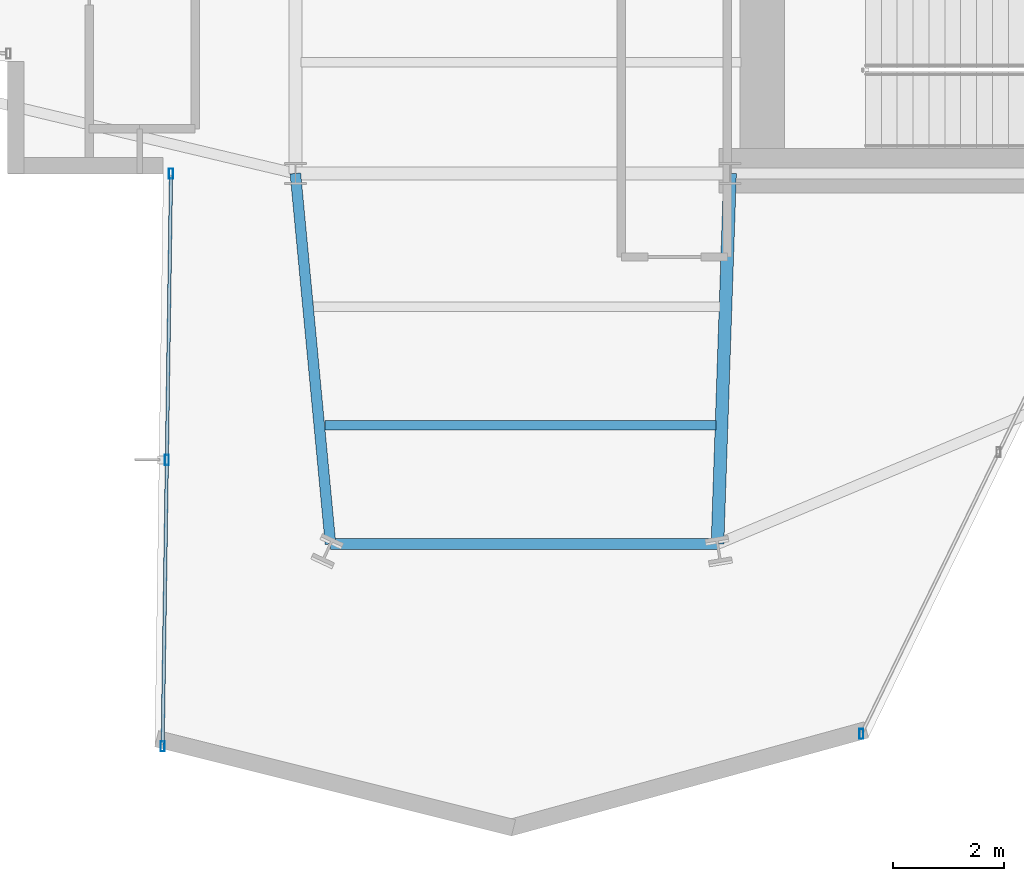
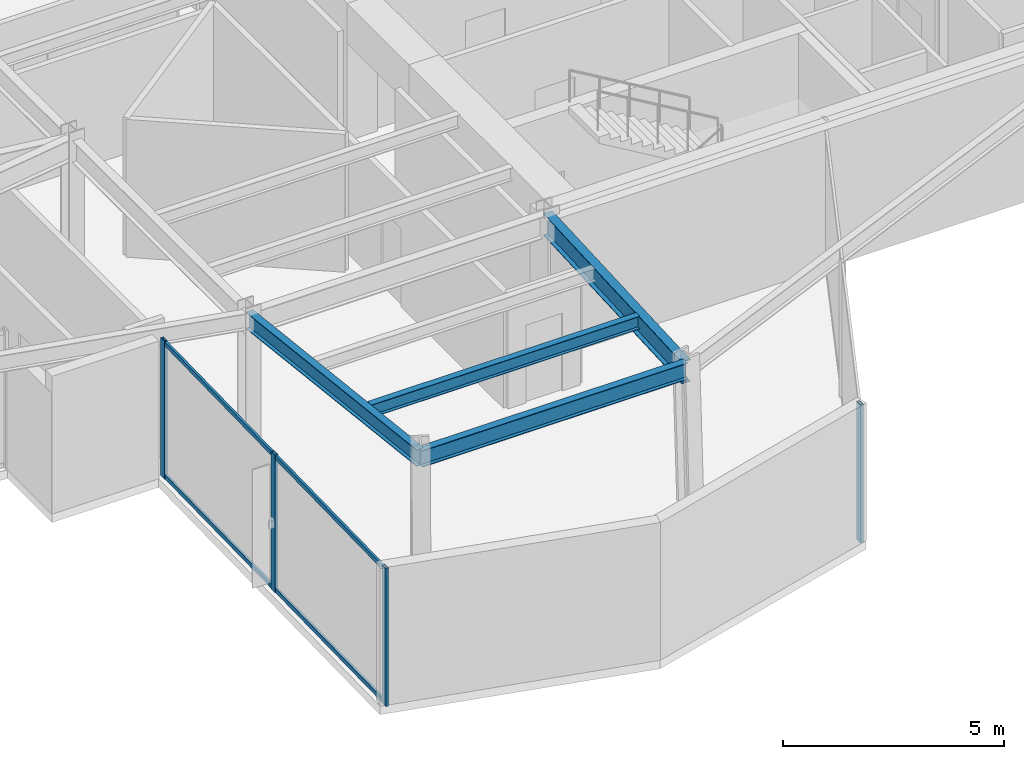
# One storey, part 4 of 24: 6 members, 4 beams, 2 elements without a shape of their own.
"""IFC4 building model written with IfcOpenShell, lengths in metres."""

from ifc_helpers import new_model, si_unit, direction, frame, origin, origin_2d, place, context, subcontext, project, spatial, hollow_rectangle, i_section, extrude, material, layer, layer_set, material_profile, profile_set, type_object, element, aggregate, save


model = new_model("IFC4")

# Units and contexts
model_context = context("Model", 3, precision=1e-05, world=origin(), true_north=direction((0.0, 1.0)))
body_context = subcontext(model_context, "Body", "Model", "MODEL_VIEW")
ifc_project = project(units=[si_unit("LENGTHUNIT", "METRE"), si_unit("AREAUNIT", "SQUARE_METRE"), si_unit("VOLUMEUNIT", "CUBIC_METRE"), si_unit("PLANEANGLEUNIT", "RADIAN"), si_unit("MASSUNIT", "GRAM", prefix="KILO")], contexts=[model_context])

# Site, building, storey
site_placement = place(None, origin())
site = spatial("IfcSite", under=ifc_project, at=site_placement, CompositionType="ELEMENT")
building_placement = place(site_placement, origin())
building = spatial("IfcBuilding", under=site, at=building_placement, Name="Veymaron Broadcast Tower", CompositionType="ELEMENT")
storey_placement = place(building_placement, frame((0.0, 0.0, 124.949951171875)))
storey = spatial("IfcBuildingStorey", under=building, at=storey_placement, Name="L28", CompositionType="ELEMENT", Elevation=124.949951171875)

# Beams
ifc_material_1 = material(Name="Structural steel ASTM A992 Gr 50", Category="steel")
ifc_material_profile_1 = material_profile(ifc_material_1, i_section(OverallWidth=0.22802734375, OverallDepth=0.60791015625, WebThickness=0.01123046875, FlangeThickness=0.017333984375, at=origin_2d()), Name="W610X113")
ifc_profile_set_1 = profile_set([ifc_material_profile_1], Name="Structural steel ASTM A992 Gr 50")
beam_type_1 = type_object("IfcBeamType", Name="BM-FG2", PredefinedType="BEAM", material=ifc_profile_set_1)
beam_1_placement = place(storey_placement, frame((39.0, 16.0, 3.506103515625), z_axis=(-0.033830392706, -0.999427588437, 0.0), x_axis=(0.999427588437, -0.033830392706, 0.0)))
element("IfcBeam", 1, at=beam_1_placement, inside=storey, type_object=beam_type_1, Name="L28 primary structural floor girder", PredefinedType="BEAM", context=body_context, shape_type="SweptSolid", body=[
    extrude(i_section(OverallWidth=0.22802734375, OverallDepth=0.60791015625, WebThickness=0.01123046875, FlangeThickness=0.017333984375, at=origin_2d()), origin(), (0.0, 0.0, 1.0), 6.65380859375),
])
ifc_material_profile_2 = material_profile(ifc_material_1, i_section(OverallWidth=0.1708984375, OverallDepth=0.35498046875, WebThickness=0.007080078125, FlangeThickness=0.01171875, at=origin_2d()), Name="W360X51")
ifc_profile_set_2 = profile_set([ifc_material_profile_2], Name="Structural steel ASTM A992 Gr 50")
beam_type_2 = type_object("IfcBeamType", Name="BM-JS2", PredefinedType="JOIST", material=ifc_profile_set_2)
beam_2_placement = place(storey_placement, frame((31.728515625, 11.47802734375, 3.632568359375), z_axis=(1.0, 0.0, 0.0), x_axis=(0.0, 1.0, 0.0)))
element("IfcBeam", 2, at=beam_2_placement, inside=storey, type_object=beam_type_2, Name="L28 Arm-C secondary joist 2", PredefinedType="JOIST", context=body_context, shape_type="SweptSolid", body=[
    extrude(i_section(OverallWidth=0.1708984375, OverallDepth=0.35498046875, WebThickness=0.007080078125, FlangeThickness=0.01171875, at=origin_2d()), origin(), (0.0, 0.0, 1.0), 7.0185546875),
])
ifc_material_profile_3 = material_profile(ifc_material_1, i_section(OverallWidth=0.19091796875, OverallDepth=0.4599609375, WebThickness=0.010009765625, FlangeThickness=0.01611328125, at=origin_2d()), Name="W460X82")
ifc_profile_set_3 = profile_set([ifc_material_profile_3], Name="Structural steel ASTM A992 Gr 50")
beam_type_3 = type_object("IfcBeamType", Name="BM-SP1", PredefinedType="SPANDREL", material=ifc_profile_set_3)
beam_3_placement = place(storey_placement, frame((31.199951171875, 16.0, 3.580078125), z_axis=(0.094334757201, -0.995540533371, 0.0), x_axis=(0.995540533371, 0.094334757201, 0.0)))
element("IfcBeam", 3, at=beam_3_placement, inside=storey, type_object=beam_type_3, Name="L28 primary structural floor girder", PredefinedType="SPANDREL", context=body_context, shape_type="SweptSolid", body=[
    extrude(i_section(OverallWidth=0.19091796875, OverallDepth=0.4599609375, WebThickness=0.010009765625, FlangeThickness=0.01611328125, at=origin_2d()), origin(), (0.0, 0.0, 1.0), 6.6796875),
])
beam_4_placement = place(storey_placement, frame((31.830078125, 9.35009765625, 3.580078125), z_axis=(1.0, 0.0, 0.0), x_axis=(0.0, 1.0, 0.0)))
element("IfcBeam", 4, at=beam_4_placement, inside=storey, type_object=beam_type_3, Name="L28 primary structural floor girder", PredefinedType="SPANDREL", context=body_context, shape_type="SweptSolid", body=[
    extrude(i_section(OverallWidth=0.19091796875, OverallDepth=0.4599609375, WebThickness=0.010009765625, FlangeThickness=0.01611328125, at=origin_2d()), origin(), (0.0, 0.0, 1.0), 6.94482421875),
])

# Curtain wall, members
ifc_material_2 = material(Name="Anodised aluminium AA 6063-T6 and laminated low-E dark glass", Category="aluminium")
ifc_layer = layer(ifc_material_2, 0.179931640625)
ifc_layer_set = layer_set([ifc_layer], Name="Anodised aluminium AA 6063-T6 and laminated low-E dark glass")
curtain_wall_type = type_object("IfcCurtainWallType", Name="CW-SYS-03", PredefinedType="NOTDEFINED", material=ifc_layer_set)
curtain_wall_1_placement = place(storey_placement, origin())
curtain_wall_1 = element("IfcCurtainWall", 5, at=curtain_wall_1_placement, inside=storey, type_object=curtain_wall_type, Name="L28 dark-glass curtain wall CW-L28-E17-1", PredefinedType="NOTDEFINED")
ifc_material_3 = material(Name="Anodised aluminium AA 6063-T6", Category="aluminium")
ifc_material_profile_4 = material_profile(ifc_material_3, hollow_rectangle(XDim=0.074951171875, YDim=0.179931640625, WallThickness=0.0048828125, at=origin_2d()), Name="AL180X75X5")
ifc_profile_set_4 = profile_set([ifc_material_profile_4], Name="Anodised aluminium AA 6063-T6")
member_type_1 = type_object("IfcMemberType", Name="CW-MUL-02", PredefinedType="MULLION", material=ifc_profile_set_4)
member_1_placement = place(storey_placement, frame((28.96826171875, 15.998046875, 0.0), z_axis=(0.0, 0.0, 1.0), x_axis=(1.0, 0.0, 0.0)))
member_1 = element("IfcMember", 6, at=member_1_placement, type_object=member_type_1, Name="CW-L28-E17-1 mullion 0", PredefinedType="MULLION", context=body_context, shape_type="SweptSolid", body=[
    extrude(hollow_rectangle(XDim=0.074951171875, YDim=0.179931640625, WallThickness=0.0048828125, at=origin_2d()), origin(), (0.0, 0.0, 1.0), 3.81005859375),
])
member_2_placement = place(storey_placement, frame((28.89306640625, 10.85791015625, 0.0), z_axis=(0.0, 0.0, 1.0), x_axis=(1.0, 0.0, 0.0)))
member_2 = element("IfcMember", 7, at=member_2_placement, type_object=member_type_1, Name="CW-L28-E17-1 mullion 1", PredefinedType="MULLION", context=body_context, shape_type="SweptSolid", body=[
    extrude(hollow_rectangle(XDim=0.074951171875, YDim=0.179931640625, WallThickness=0.0048828125, at=origin_2d()), origin(), (0.0, 0.0, 1.0), 3.81005859375),
])
member_3_placement = place(storey_placement, frame((28.81787109375, 5.718017578125, 0.0), z_axis=(0.0, 0.0, 1.0), x_axis=(1.0, 0.0, 0.0)))
member_3 = element("IfcMember", 8, at=member_3_placement, type_object=member_type_1, Name="CW-L28-E17-1 mullion 2", PredefinedType="MULLION", context=body_context, shape_type="SweptSolid", body=[
    extrude(hollow_rectangle(XDim=0.074951171875, YDim=0.179931640625, WallThickness=0.0048828125, at=origin_2d()), origin(), (0.0, 0.0, 1.0), 3.81005859375),
])

# Curtain wall, member
curtain_wall_2_placement = place(storey_placement, origin())
curtain_wall_2 = element("IfcCurtainWall", 9, at=curtain_wall_2_placement, inside=storey, type_object=curtain_wall_type, Name="L28 dark-glass curtain wall CW-L28-E20-1", PredefinedType="NOTDEFINED")
member_4_placement = place(storey_placement, frame((41.356201171875, 5.94140625, 0.0), z_axis=(0.0, 0.0, 1.0), x_axis=(1.0, 0.0, 0.0)))
member_4 = element("IfcMember", 10, at=member_4_placement, type_object=member_type_1, Name="CW-L28-E20-1 mullion 0", PredefinedType="MULLION", context=body_context, shape_type="SweptSolid", body=[
    extrude(hollow_rectangle(XDim=0.074951171875, YDim=0.179931640625, WallThickness=0.0048828125, at=origin_2d()), origin(), (0.0, 0.0, 1.0), 3.81005859375),
])
aggregate(curtain_wall_2, [member_4])

# Member
ifc_material_profile_5 = material_profile(ifc_material_3, hollow_rectangle(XDim=0.06005859375, YDim=0.1201171875, WallThickness=0.00390625, at=origin_2d()), Name="AL120X60X4")
ifc_profile_set_5 = profile_set([ifc_material_profile_5], Name="Anodised aluminium AA 6063-T6")
member_type_2 = type_object("IfcMemberType", Name="CW-TRN-02", PredefinedType="USERDEFINED", material=ifc_profile_set_5)
member_5_placement = place(storey_placement, frame((28.967529296875, 15.947998046875, 0.070068359375), z_axis=(-0.014627784613, -0.999893008235, 0.0), x_axis=(0.999893008235, -0.014627784613, 0.0)))
member_5 = element("IfcMember", 11, at=member_5_placement, type_object=member_type_2, Name="CW-L28-E17-1 transom B", ObjectType="TRANSOM", PredefinedType="USERDEFINED", context=body_context, shape_type="SweptSolid", body=[
    extrude(hollow_rectangle(XDim=0.06005859375, YDim=0.1201171875, WallThickness=0.00390625, at=origin_2d()), origin(), (0.0, 0.0, 1.0), 10.180908203125),
])

member_6_placement = place(storey_placement, frame((28.967529296875, 15.947998046875, 3.739990234375), z_axis=(-0.014627784613, -0.999893008235, 0.0), x_axis=(0.999893008235, -0.014627784613, 0.0)))
member_6 = element("IfcMember", 12, at=member_6_placement, type_object=member_type_2, Name="CW-L28-E17-1 transom T", ObjectType="TRANSOM", PredefinedType="USERDEFINED", context=body_context, shape_type="SweptSolid", body=[
    extrude(hollow_rectangle(XDim=0.06005859375, YDim=0.1201171875, WallThickness=0.00390625, at=origin_2d()), origin(), (0.0, 0.0, 1.0), 10.180908203125),
])

aggregate(curtain_wall_1, [member_1, member_2, member_3, member_5, member_6])

save(model, "model.ifc")
